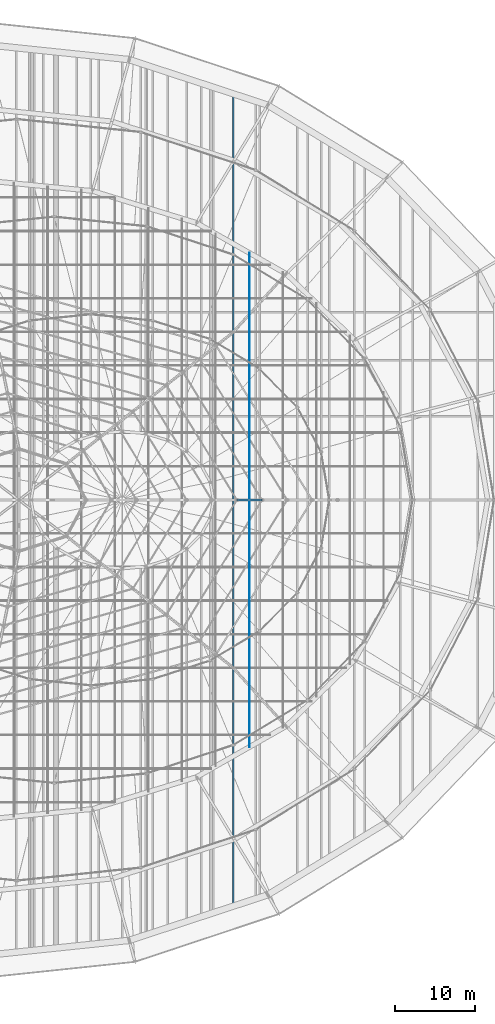
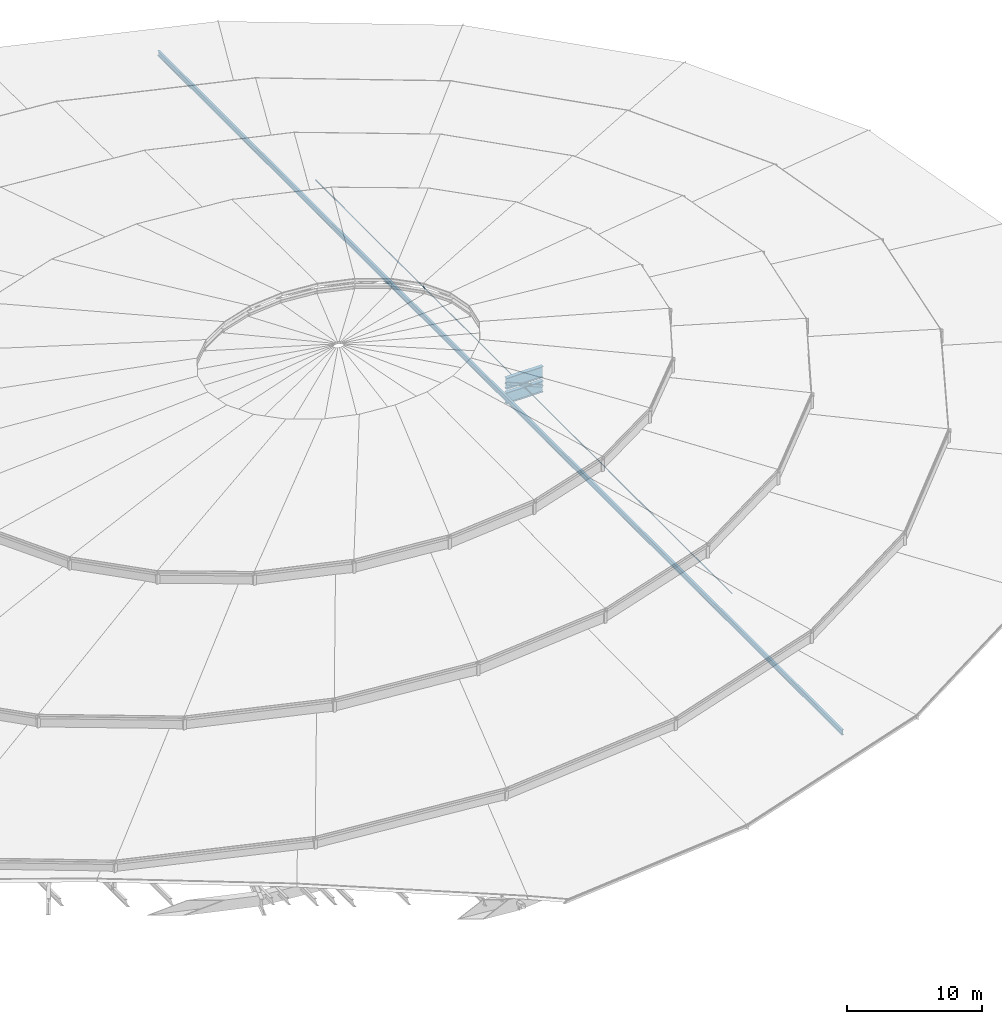
# One storey, part 86 of 184: 3 members, 2 beams.
"""IFC4 building model written with IfcOpenShell, lengths in metres."""

from ifc_helpers import new_model, si_unit, direction, frame, origin, origin_2d, place, context, subcontext, project, spatial, hollow_rectangle, circle, i_section, extrude, material, material_profile, profile_set, type_object, element, save


model = new_model("IFC4")

# Units and contexts
model_context = context("Model", 3, precision=1e-05, world=origin(), true_north=direction((0.0, 1.0)))
body_context = subcontext(model_context, "Body", "Model", "MODEL_VIEW")
ifc_project = project(units=[si_unit("LENGTHUNIT", "METRE"), si_unit("AREAUNIT", "SQUARE_METRE"), si_unit("VOLUMEUNIT", "CUBIC_METRE"), si_unit("PLANEANGLEUNIT", "RADIAN"), si_unit("MASSUNIT", "GRAM", prefix="KILO")], contexts=[model_context])

# Site, building, storey
site_placement = place(None, origin())
site = spatial("IfcSite", under=ifc_project, at=site_placement, CompositionType="ELEMENT")
building_placement = place(site_placement, origin())
building = spatial("IfcBuilding", under=site, at=building_placement, Name="Kalgoora Escarpment Arena", CompositionType="ELEMENT")
storey_placement = place(building_placement, frame((0.0, 0.0, 27.60009765625)))
storey = spatial("IfcBuildingStorey", under=building, at=storey_placement, Name="Roof Level", CompositionType="ELEMENT", Elevation=27.60009765625)

# Beams
ifc_material_1 = material(Name="Structural steel Grade 350 (350 MPa)", Category="steel")
ifc_material_profile_1 = material_profile(ifc_material_1, i_section(OverallWidth=0.300048828125, OverallDepth=1.010009765625, WebThickness=0.01611328125, FlangeThickness=0.030029296875, at=origin_2d()))
ifc_profile_set_1 = profile_set([ifc_material_profile_1], Name="Structural steel Grade 350 (350 MPa)")
beam_type = type_object("IfcBeamType", Name="BM-TRUSS-CHORD", PredefinedType="USERDEFINED", material=ifc_profile_set_1)
for number, where, z_axis, x_axis, name in (
    (1, (127.592041015625, 64.0, -1.635009765625), (-0.999998809254, 0.0, 0.001543208039), (0.0, -1.0, 0.0), "Radial ROOF TRUSS spine 1 bottom chord 5"),
    (2, (127.592041015625, 64.0, -0.320068359375), (-0.999994995918, 0.0, 0.003163564416), (0.0, -1.0, 0.0), "Radial ROOF TRUSS spine 1 top chord 5"),
):
    element("IfcBeam", number, at=place(storey_placement, frame(where, z_axis=z_axis, x_axis=x_axis)), inside=storey, type_object=beam_type, Name=name, ObjectType="GIRDER", PredefinedType="USERDEFINED", context=body_context, shape_type="SweptSolid", body=[
        extrude(i_section(OverallWidth=0.300048828125, OverallDepth=1.010009765625, WebThickness=0.01611328125, FlangeThickness=0.030029296875, at=origin_2d()), origin(), (0.0, 0.0, 1.0), 3.1640625),
    ])

# Members
ifc_material_2 = material(Name="High-tensile spiral strand steel Grade 450 (350 MPa)", Category="steel")
ifc_material_profile_2 = material_profile(ifc_material_2, circle(Radius=0.028076171875, at=origin_2d()))
ifc_profile_set_2 = profile_set([ifc_material_profile_2], Name="High-tensile spiral strand steel Grade 450 (350 MPa)")
member_type_1 = type_object("IfcMemberType", Name="MEM-CABLE-56", PredefinedType="USERDEFINED", material=ifc_profile_set_2)
member_1_placement = place(storey_placement, frame((126.0, 33.1103515625, -1.190185546875), z_axis=(0.0, 1.0, 0.0), x_axis=(-1.0, 0.0, 0.0)))
element("IfcMember", 3, at=member_1_placement, inside=storey, type_object=member_type_1, Name="Roof saddle pretensioning cable Y-38", ObjectType="CABLE", PredefinedType="USERDEFINED", context=body_context, shape_type="SweptSolid", body=[
    extrude(circle(Radius=0.028076171875, at=origin_2d()), origin(), (0.0, 0.0, 1.0), 61.779296875),
])
ifc_material_3 = material(Name="Structural steel AS/NZS 3679 (300 MPa)", Category="steel")
ifc_material_profile_3 = material_profile(ifc_material_3, i_section(OverallWidth=0.19091796875, OverallDepth=0.4599609375, WebThickness=0.010009765625, FlangeThickness=0.01611328125, at=origin_2d()))
ifc_profile_set_3 = profile_set([ifc_material_profile_3], Name="Structural steel AS/NZS 3679 (300 MPa)")
member_type_2 = type_object("IfcMemberType", Name="MEM-CARRIER-CHORD", PredefinedType="CHORD", material=ifc_profile_set_3)
member_2_placement = place(storey_placement, frame((124.0, 13.22265625, -1.02001953125), z_axis=(0.0, 1.0, 0.0), x_axis=(-1.0, 0.0, 0.0)))
element("IfcMember", 4, at=member_2_placement, inside=storey, type_object=member_type_2, Name="Petal RP3 spanning carrier chord C05", PredefinedType="CHORD", context=body_context, shape_type="SweptSolid", body=[
    extrude(i_section(OverallWidth=0.19091796875, OverallDepth=0.4599609375, WebThickness=0.010009765625, FlangeThickness=0.01611328125, at=origin_2d()), origin(), (0.0, 0.0, 1.0), 101.5546875),
])
ifc_material_4 = material(Name="Structural steel C350 (350 MPa)", Category="steel")
ifc_material_profile_4 = material_profile(ifc_material_4, hollow_rectangle(XDim=0.199951171875, YDim=0.199951171875, WallThickness=0.009033203125, at=origin_2d()))
ifc_profile_set_4 = profile_set([ifc_material_profile_4], Name="Structural steel C350 (350 MPa)")
member_type_3 = type_object("IfcMemberType", Name="MEM-TRUSS-DIAG", PredefinedType="BRACE", material=ifc_profile_set_4)
member_3_placement = place(storey_placement, frame((127.580078125, 64.0, -1.635009765625), z_axis=(-0.921342513771, 0.0, 0.388751813267), x_axis=(0.0, 1.0, 0.0)))
element("IfcMember", 5, at=member_3_placement, inside=storey, type_object=member_type_3, Name="Radial ROOF TRUSS spine 1 web diagonal 5", PredefinedType="BRACE", context=body_context, shape_type="SweptSolid", body=[
    extrude(hollow_rectangle(XDim=0.199951171875, YDim=0.199951171875, WallThickness=0.009033203125, at=origin_2d()), origin(), (0.0, 0.0, 1.0), 3.408203125),
])

save(model, "model.ifc")
